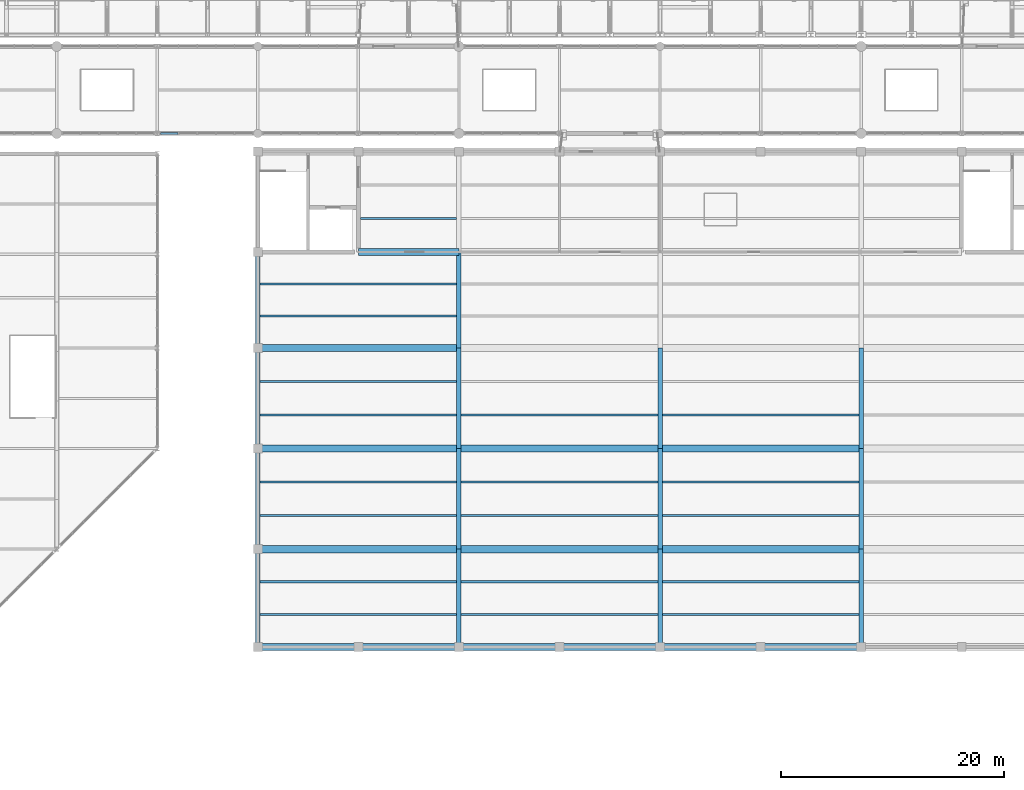
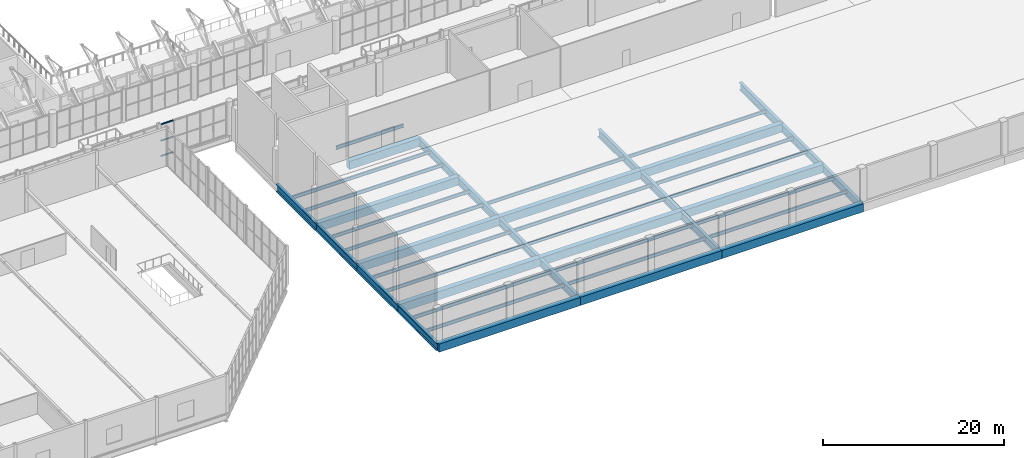
# One storey, part 34 of 134: 44 beams, 3 members, 1 element without a shape of its own.
"""IFC4 building model written with IfcOpenShell, lengths in metres."""

from ifc_helpers import new_model, si_unit, direction, frame, origin, origin_2d, place, context, subcontext, project, spatial, rectangle, i_section, extrude, material, layer, layer_set, material_profile, profile_set, type_object, element, aggregate, save


model = new_model("IFC4")

# Units and contexts
model_context = context("Model", 3, precision=1e-05, world=origin(), true_north=direction((0.0, 1.0)))
body_context = subcontext(model_context, "Body", "Model", "MODEL_VIEW")
ifc_project = project(units=[si_unit("LENGTHUNIT", "METRE"), si_unit("AREAUNIT", "SQUARE_METRE"), si_unit("VOLUMEUNIT", "CUBIC_METRE"), si_unit("PLANEANGLEUNIT", "RADIAN"), si_unit("MASSUNIT", "GRAM", prefix="KILO")], contexts=[model_context])

# Site, building, storey
site_placement = place(None, origin())
site = spatial("IfcSite", under=ifc_project, at=site_placement, CompositionType="ELEMENT")
building_placement = place(site_placement, origin())
building = spatial("IfcBuilding", under=site, at=building_placement, Name="Cazmaro Siding Exhibition Halls", CompositionType="ELEMENT")
storey_placement = place(building_placement, frame((0.0, 0.0, 12.0)))
storey = spatial("IfcBuildingStorey", under=building, at=storey_placement, Name="L02", CompositionType="ELEMENT", Elevation=12.0)

# Curtain wall, members
ifc_material_1 = material(Name="Anodized Bronze Aluminum and Solar-Control Low-E Glazing", Category="aluminium")
ifc_layer = layer(ifc_material_1, 0.199951171875)
ifc_layer_set = layer_set([ifc_layer], Name="Anodized Bronze Aluminum and Solar-Control Low-E Glazing")
curtain_wall_type = type_object("IfcCurtainWallType", Name="CWS-02", PredefinedType="USERDEFINED", material=ifc_layer_set)
curtain_wall_placement = place(storey_placement, origin())
curtain_wall = element("IfcCurtainWall", 1, at=curtain_wall_placement, inside=storey, type_object=curtain_wall_type, Name="Glazed Curtain Wall CWS-02 CW-158", ObjectType="GLAZED CURTAIN WALL", PredefinedType="USERDEFINED")
ifc_material_2 = material(Name="Anodized Bronze Extruded Aluminum", Category="aluminium")
ifc_material_profile_1 = material_profile(ifc_material_2, rectangle(XDim=0.179931640625, YDim=0.06494140625, at=origin_2d()), Name="CWT-02")
ifc_profile_set_1 = profile_set([ifc_material_profile_1], Name="Anodized Bronze Extruded Aluminum")
member_type = type_object("IfcMemberType", Name="CWT-02", PredefinedType="MULLION", material=ifc_profile_set_1)
member_1_placement = place(storey_placement, frame((63.294921875, 55.199951171875, 0.032470703125), z_axis=(1.0, 0.0, 0.0), x_axis=(0.0, 1.0, 0.0)))
member_1 = element("IfcMember", 2, at=member_1_placement, type_object=member_type, Name="CWS-02 transom 1.1", ObjectType="TRANSOM", PredefinedType="USERDEFINED", context=body_context, shape_type="SweptSolid", body=[
    extrude(rectangle(XDim=0.179931640625, YDim=0.06494140625, at=origin_2d()), origin(), (0.0, 0.0, 1.0), 1.574951171875),
])
member_2_placement = place(storey_placement, frame((63.294921875, 55.199951171875, 2.10009765625), z_axis=(1.0, 0.0, 0.0), x_axis=(0.0, 1.0, 0.0)))
member_2 = element("IfcMember", 3, at=member_2_placement, type_object=member_type, Name="CWS-02 transom 1.2", ObjectType="TRANSOM", PredefinedType="USERDEFINED", context=body_context, shape_type="SweptSolid", body=[
    extrude(rectangle(XDim=0.179931640625, YDim=0.06494140625, at=origin_2d()), origin(), (0.0, 0.0, 1.0), 1.574951171875),
])
member_3_placement = place(storey_placement, frame((63.294921875, 55.199951171875, 4.29248046875), z_axis=(1.0, 0.0, 0.0), x_axis=(0.0, 1.0, 0.0)))
member_3 = element("IfcMember", 4, at=member_3_placement, type_object=member_type, Name="CWS-02 transom 1.3", ObjectType="TRANSOM", PredefinedType="USERDEFINED", context=body_context, shape_type="SweptSolid", body=[
    extrude(rectangle(XDim=0.179931640625, YDim=0.06494140625, at=origin_2d()), origin(), (0.0, 0.0, 1.0), 1.574951171875),
])
aggregate(curtain_wall, [member_1, member_2, member_3])

# Beams
ifc_material_3 = material(Name="Steel ASTM A992 Grade 50", Category="steel")
ifc_material_profile_2 = material_profile(ifc_material_3, i_section(OverallWidth=0.404052734375, OverallDepth=1.02099609375, WebThickness=0.02490234375, FlangeThickness=0.0458984375, at=origin_2d()), Name="W40X324")
ifc_profile_set_2 = profile_set([ifc_material_profile_2], Name="Steel ASTM A992 Grade 50")
beam_type_1 = type_object("IfcBeamType", Name="G-06", PredefinedType="USERDEFINED", material=ifc_profile_set_2)
beam_1_placement = place(storey_placement, frame((72.0, 9.25, -0.81103515625), z_axis=(0.0, 1.0, 0.0), x_axis=(-1.0, 0.0, 0.0)))
element("IfcBeam", 5, at=beam_1_placement, inside=storey, type_object=beam_type_1, Name="Beam G-06 BM-1436", ObjectType="GIRDER", PredefinedType="USERDEFINED", context=body_context, shape_type="SweptSolid", body=[
    extrude(i_section(OverallWidth=0.404052734375, OverallDepth=1.02099609375, WebThickness=0.02490234375, FlangeThickness=0.0458984375, at=origin_2d()), origin(), (0.0, 0.0, 1.0), 8.75),
])
for number, where, z_axis, x_axis, name in (
    (6, (72.0, 18.0, -0.81103515625), (0.0, 1.0, 0.0), (-1.0, 0.0, 0.0), "Beam G-06 BM-1437"),
    (7, (72.0, 27.0, -0.81103515625), (0.0, 1.0, 0.0), (-1.0, 0.0, 0.0), "Beam G-06 BM-1438"),
):
    element("IfcBeam", number, at=place(storey_placement, frame(where, z_axis=z_axis, x_axis=x_axis)), inside=storey, type_object=beam_type_1, Name=name, ObjectType="GIRDER", PredefinedType="USERDEFINED", context=body_context, shape_type="SweptSolid", body=[
        extrude(i_section(OverallWidth=0.404052734375, OverallDepth=1.02099609375, WebThickness=0.02490234375, FlangeThickness=0.0458984375, at=origin_2d()), origin(), (0.0, 0.0, 1.0), 9.0),
    ])
beam_2_placement = place(storey_placement, frame((72.0, 36.0, -0.81103515625), z_axis=(0.0, 1.0, 0.0), x_axis=(-1.0, 0.0, 0.0)))
element("IfcBeam", 8, at=beam_2_placement, inside=storey, type_object=beam_type_1, Name="Beam G-06 BM-1439", ObjectType="GIRDER", PredefinedType="USERDEFINED", context=body_context, shape_type="SweptSolid", body=[
    extrude(i_section(OverallWidth=0.404052734375, OverallDepth=1.02099609375, WebThickness=0.02490234375, FlangeThickness=0.0458984375, at=origin_2d()), origin(), (0.0, 0.0, 1.0), 8.60009765625),
])
beam_3_placement = place(storey_placement, frame((90.0, 9.25, -0.81103515625), z_axis=(0.0, 1.0, 0.0), x_axis=(-1.0, 0.0, 0.0)))
element("IfcBeam", 9, at=beam_3_placement, inside=storey, type_object=beam_type_1, Name="Beam G-06 BM-1441", ObjectType="GIRDER", PredefinedType="USERDEFINED", context=body_context, shape_type="SweptSolid", body=[
    extrude(i_section(OverallWidth=0.404052734375, OverallDepth=1.02099609375, WebThickness=0.02490234375, FlangeThickness=0.0458984375, at=origin_2d()), origin(), (0.0, 0.0, 1.0), 8.75),
])
for number, where, z_axis, x_axis, name in (
    (10, (90.0, 18.0, -0.81103515625), (0.0, 1.0, 0.0), (-1.0, 0.0, 0.0), "Beam G-06 BM-1442"),
    (11, (90.0, 27.0, -0.81103515625), (0.0, 1.0, 0.0), (-1.0, 0.0, 0.0), "Beam G-06 BM-1443"),
):
    element("IfcBeam", number, at=place(storey_placement, frame(where, z_axis=z_axis, x_axis=x_axis)), inside=storey, type_object=beam_type_1, Name=name, ObjectType="GIRDER", PredefinedType="USERDEFINED", context=body_context, shape_type="SweptSolid", body=[
        extrude(i_section(OverallWidth=0.404052734375, OverallDepth=1.02099609375, WebThickness=0.02490234375, FlangeThickness=0.0458984375, at=origin_2d()), origin(), (0.0, 0.0, 1.0), 9.0),
    ])
beam_4_placement = place(storey_placement, frame((90.0, 36.0, -0.81103515625), z_axis=(0.0, 1.0, 0.0), x_axis=(-1.0, 0.0, 0.0)))
element("IfcBeam", 12, at=beam_4_placement, inside=storey, type_object=beam_type_1, Name="Beam G-06 BM-1444", ObjectType="GIRDER", PredefinedType="USERDEFINED", context=body_context, shape_type="SweptSolid", body=[
    extrude(i_section(OverallWidth=0.404052734375, OverallDepth=1.02099609375, WebThickness=0.02490234375, FlangeThickness=0.0458984375, at=origin_2d()), origin(), (0.0, 0.0, 1.0), 8.60009765625),
])
beam_5_placement = place(storey_placement, frame((108.0, 9.25, -0.81103515625), z_axis=(0.0, 1.0, 0.0), x_axis=(-1.0, 0.0, 0.0)))
element("IfcBeam", 13, at=beam_5_placement, inside=storey, type_object=beam_type_1, Name="Beam G-06 BM-1446", ObjectType="GIRDER", PredefinedType="USERDEFINED", context=body_context, shape_type="SweptSolid", body=[
    extrude(i_section(OverallWidth=0.404052734375, OverallDepth=1.02099609375, WebThickness=0.02490234375, FlangeThickness=0.0458984375, at=origin_2d()), origin(), (0.0, 0.0, 1.0), 8.75),
])
for number, where, z_axis, x_axis, name in (
    (14, (108.0, 18.0, -0.81103515625), (0.0, 1.0, 0.0), (-1.0, 0.0, 0.0), "Beam G-06 BM-1447"),
    (15, (108.0, 27.0, -0.81103515625), (0.0, 1.0, 0.0), (-1.0, 0.0, 0.0), "Beam G-06 BM-1448"),
):
    element("IfcBeam", number, at=place(storey_placement, frame(where, z_axis=z_axis, x_axis=x_axis)), inside=storey, type_object=beam_type_1, Name=name, ObjectType="GIRDER", PredefinedType="USERDEFINED", context=body_context, shape_type="SweptSolid", body=[
        extrude(i_section(OverallWidth=0.404052734375, OverallDepth=1.02099609375, WebThickness=0.02490234375, FlangeThickness=0.0458984375, at=origin_2d()), origin(), (0.0, 0.0, 1.0), 9.0),
    ])
beam_6_placement = place(storey_placement, frame((126.0, 9.25, -0.81103515625), z_axis=(0.0, 1.0, 0.0), x_axis=(-1.0, 0.0, 0.0)))
element("IfcBeam", 16, at=beam_6_placement, inside=storey, type_object=beam_type_1, Name="Beam G-06 BM-1451", ObjectType="GIRDER", PredefinedType="USERDEFINED", context=body_context, shape_type="SweptSolid", body=[
    extrude(i_section(OverallWidth=0.404052734375, OverallDepth=1.02099609375, WebThickness=0.02490234375, FlangeThickness=0.0458984375, at=origin_2d()), origin(), (0.0, 0.0, 1.0), 8.75),
])
for number, where, z_axis, x_axis, name in (
    (17, (126.0, 18.0, -0.81103515625), (0.0, 1.0, 0.0), (-1.0, 0.0, 0.0), "Beam G-06 BM-1452"),
    (18, (126.0, 27.0, -0.81103515625), (0.0, 1.0, 0.0), (-1.0, 0.0, 0.0), "Beam G-06 BM-1453"),
):
    element("IfcBeam", number, at=place(storey_placement, frame(where, z_axis=z_axis, x_axis=x_axis)), inside=storey, type_object=beam_type_1, Name=name, ObjectType="GIRDER", PredefinedType="USERDEFINED", context=body_context, shape_type="SweptSolid", body=[
        extrude(i_section(OverallWidth=0.404052734375, OverallDepth=1.02099609375, WebThickness=0.02490234375, FlangeThickness=0.0458984375, at=origin_2d()), origin(), (0.0, 0.0, 1.0), 9.0),
    ])
ifc_material_4 = material(Name="Concrete f'c 45 MPa", Category="concrete")
ifc_material_profile_3 = material_profile(ifc_material_4, rectangle(XDim=0.64990234375, YDim=1.10009765625, at=origin_2d()), Name="RC1100X650")
ifc_profile_set_3 = profile_set([ifc_material_profile_3], Name="Concrete f'c 45 MPa")
beam_type_2 = type_object("IfcBeamType", Name="G-08", PredefinedType="USERDEFINED", material=ifc_profile_set_3)
for number, where, z_axis, x_axis, name in (
    (19, (72.0, 9.25, -0.85009765625), (1.0, 0.0, 0.0), (0.0, 1.0, 0.0), "Beam G-08 BM-1311"),
    (20, (72.0, 18.0, -0.85009765625), (1.0, 0.0, 0.0), (0.0, 1.0, 0.0), "Beam G-08 BM-1312"),
    (21, (72.0, 27.0, -0.85009765625), (1.0, 0.0, 0.0), (0.0, 1.0, 0.0), "Beam G-08 BM-1313"),
    (22, (72.0, 36.0, -0.85009765625), (1.0, 0.0, 0.0), (0.0, 1.0, 0.0), "Beam G-08 BM-1314"),
):
    element("IfcBeam", number, at=place(storey_placement, frame(where, z_axis=z_axis, x_axis=x_axis)), inside=storey, type_object=beam_type_2, Name=name, ObjectType="GIRDER", PredefinedType="USERDEFINED", context=body_context, shape_type="SweptSolid", body=[
        extrude(rectangle(XDim=0.64990234375, YDim=1.10009765625, at=origin_2d()), origin(), (0.0, 0.0, 1.0), 18.0),
    ])
beam_7_placement = place(storey_placement, frame((81.0, 44.60009765625, -0.85009765625), z_axis=(1.0, 0.0, 0.0), x_axis=(0.0, 1.0, 0.0)))
element("IfcBeam", 23, at=beam_7_placement, inside=storey, type_object=beam_type_2, Name="Beam G-08 BM-1315", ObjectType="GIRDER", PredefinedType="USERDEFINED", context=body_context, shape_type="SweptSolid", body=[
    extrude(rectangle(XDim=0.64990234375, YDim=1.10009765625, at=origin_2d()), origin(), (0.0, 0.0, 1.0), 9.0),
])
for number, where, z_axis, x_axis, name in (
    (24, (90.0, 9.25, -0.85009765625), (1.0, 0.0, 0.0), (0.0, 1.0, 0.0), "Beam G-08 BM-1327"),
    (25, (90.0, 18.0, -0.85009765625), (1.0, 0.0, 0.0), (0.0, 1.0, 0.0), "Beam G-08 BM-1328"),
    (26, (90.0, 27.0, -0.85009765625), (1.0, 0.0, 0.0), (0.0, 1.0, 0.0), "Beam G-08 BM-1329"),
    (27, (108.0, 9.25, -0.85009765625), (1.0, 0.0, 0.0), (0.0, 1.0, 0.0), "Beam G-08 BM-1343"),
    (28, (108.0, 18.0, -0.85009765625), (1.0, 0.0, 0.0), (0.0, 1.0, 0.0), "Beam G-08 BM-1344"),
    (29, (108.0, 27.0, -0.85009765625), (1.0, 0.0, 0.0), (0.0, 1.0, 0.0), "Beam G-08 BM-1345"),
):
    element("IfcBeam", number, at=place(storey_placement, frame(where, z_axis=z_axis, x_axis=x_axis)), inside=storey, type_object=beam_type_2, Name=name, ObjectType="GIRDER", PredefinedType="USERDEFINED", context=body_context, shape_type="SweptSolid", body=[
        extrude(rectangle(XDim=0.64990234375, YDim=1.10009765625, at=origin_2d()), origin(), (0.0, 0.0, 1.0), 18.0),
    ])
ifc_material_5 = material(Name="Steel ASTM A992 Grade 50", Category="steel")
ifc_material_profile_4 = material_profile(ifc_material_5, i_section(OverallWidth=0.19091796875, OverallDepth=0.45703125, WebThickness=0.009033203125, FlangeThickness=0.013916015625, at=origin_2d()), Name="W18X50")
ifc_profile_set_4 = profile_set([ifc_material_profile_4], Name="Steel ASTM A992 Grade 50")
beam_type_3 = type_object("IfcBeamType", Name="J-01", PredefinedType="JOIST", material=ifc_profile_set_4)
for number, where, z_axis, x_axis, name in (
    (30, (72.201904296875, 12.1669921875, -0.529052734375), (1.0, 0.0, 0.0), (0.0, 1.0, 0.0), "Beam J-01 BM-1317"),
    (31, (72.201904296875, 15.0830078125, -0.529052734375), (1.0, 0.0, 0.0), (0.0, 1.0, 0.0), "Beam J-01 BM-1318"),
    (32, (72.201904296875, 21.0, -0.529052734375), (1.0, 0.0, 0.0), (0.0, 1.0, 0.0), "Beam J-01 BM-1319"),
    (33, (72.201904296875, 24.0, -0.529052734375), (1.0, 0.0, 0.0), (0.0, 1.0, 0.0), "Beam J-01 BM-1320"),
    (34, (72.201904296875, 30.0, -0.529052734375), (1.0, 0.0, 0.0), (0.0, 1.0, 0.0), "Beam J-01 BM-1321"),
    (35, (72.201904296875, 33.0, -0.529052734375), (1.0, 0.0, 0.0), (0.0, 1.0, 0.0), "Beam J-01 BM-1322"),
    (36, (72.201904296875, 38.866943359375, -0.529052734375), (1.0, 0.0, 0.0), (0.0, 1.0, 0.0), "Beam J-01 BM-1323"),
    (37, (72.201904296875, 41.73291015625, -0.529052734375), (1.0, 0.0, 0.0), (0.0, 1.0, 0.0), "Beam J-01 BM-1324"),
):
    element("IfcBeam", number, at=place(storey_placement, frame(where, z_axis=z_axis, x_axis=x_axis)), inside=storey, type_object=beam_type_3, Name=name, PredefinedType="JOIST", context=body_context, shape_type="SweptSolid", body=[
        extrude(i_section(OverallWidth=0.19091796875, OverallDepth=0.45703125, WebThickness=0.009033203125, FlangeThickness=0.013916015625, at=origin_2d()), origin(), (0.0, 0.0, 1.0), 17.59619140625),
    ])
beam_8_placement = place(storey_placement, frame((81.178955078125, 47.60009765625, -0.529052734375), z_axis=(1.0, 0.0, 0.0), x_axis=(0.0, 1.0, 0.0)))
element("IfcBeam", 38, at=beam_8_placement, inside=storey, type_object=beam_type_3, Name="Beam J-01 BM-1325", PredefinedType="JOIST", context=body_context, shape_type="SweptSolid", body=[
    extrude(i_section(OverallWidth=0.19091796875, OverallDepth=0.45703125, WebThickness=0.009033203125, FlangeThickness=0.013916015625, at=origin_2d()), origin(), (0.0, 0.0, 1.0), 8.619140625),
])
for number, where, z_axis, x_axis, name in (
    (39, (90.201904296875, 12.1669921875, -0.529052734375), (1.0, 0.0, 0.0), (0.0, 1.0, 0.0), "Beam J-01 BM-1333"),
    (40, (90.201904296875, 15.0830078125, -0.529052734375), (1.0, 0.0, 0.0), (0.0, 1.0, 0.0), "Beam J-01 BM-1334"),
    (41, (90.201904296875, 21.0, -0.529052734375), (1.0, 0.0, 0.0), (0.0, 1.0, 0.0), "Beam J-01 BM-1335"),
    (42, (90.201904296875, 24.0, -0.529052734375), (1.0, 0.0, 0.0), (0.0, 1.0, 0.0), "Beam J-01 BM-1336"),
    (43, (90.201904296875, 30.0, -0.529052734375), (1.0, 0.0, 0.0), (0.0, 1.0, 0.0), "Beam J-01 BM-1337"),
    (44, (108.201904296875, 12.1669921875, -0.529052734375), (1.0, 0.0, 0.0), (0.0, 1.0, 0.0), "Beam J-01 BM-1349"),
    (45, (108.201904296875, 15.0830078125, -0.529052734375), (1.0, 0.0, 0.0), (0.0, 1.0, 0.0), "Beam J-01 BM-1350"),
    (46, (108.201904296875, 21.0, -0.529052734375), (1.0, 0.0, 0.0), (0.0, 1.0, 0.0), "Beam J-01 BM-1351"),
    (47, (108.201904296875, 24.0, -0.529052734375), (1.0, 0.0, 0.0), (0.0, 1.0, 0.0), "Beam J-01 BM-1352"),
    (48, (108.201904296875, 30.0, -0.529052734375), (1.0, 0.0, 0.0), (0.0, 1.0, 0.0), "Beam J-01 BM-1353"),
):
    element("IfcBeam", number, at=place(storey_placement, frame(where, z_axis=z_axis, x_axis=x_axis)), inside=storey, type_object=beam_type_3, Name=name, PredefinedType="JOIST", context=body_context, shape_type="SweptSolid", body=[
        extrude(i_section(OverallWidth=0.19091796875, OverallDepth=0.45703125, WebThickness=0.009033203125, FlangeThickness=0.013916015625, at=origin_2d()), origin(), (0.0, 0.0, 1.0), 17.59619140625),
    ])

save(model, "model.ifc")
